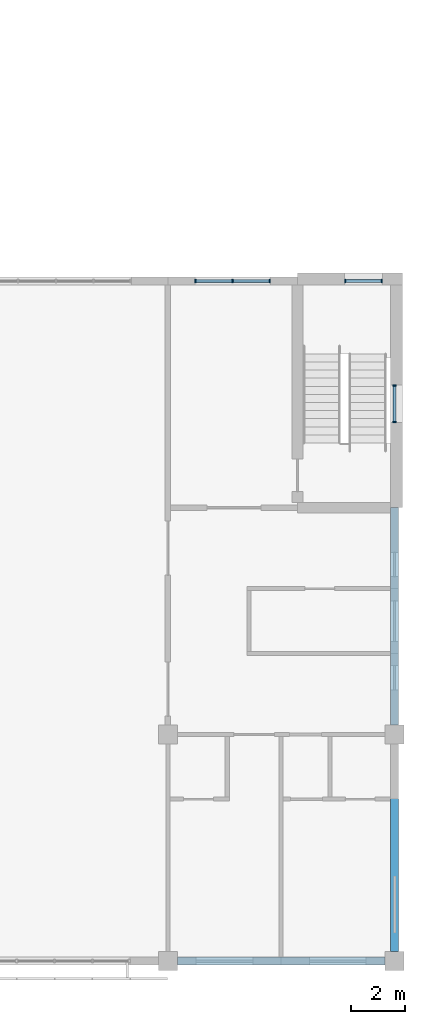
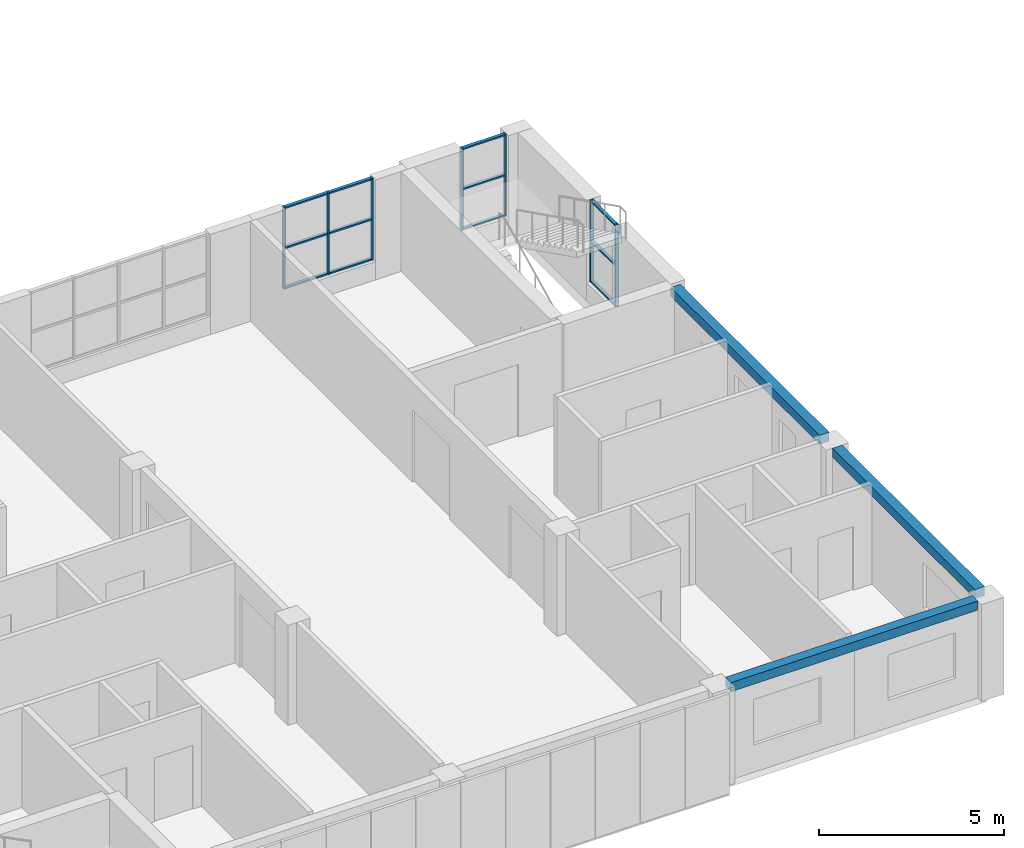
# One storey, part 20 of 48: 19 members, 3 beams, 3 elements without a shape of their own.
"""IFC4 building model written with IfcOpenShell, lengths in metres."""

from ifc_helpers import new_model, si_unit, direction, frame, origin, origin_2d, place, context, subcontext, project, spatial, rectangle, extrude, material, material_profile, profile_set, type_object, element, aggregate, save


model = new_model("IFC4")

# Units and contexts
model_context = context("Model", 3, precision=1e-05, world=origin(), true_north=direction((0.0, 1.0)))
body_context = subcontext(model_context, "Body", "Model", "MODEL_VIEW")
ifc_project = project(units=[si_unit("LENGTHUNIT", "METRE"), si_unit("AREAUNIT", "SQUARE_METRE"), si_unit("VOLUMEUNIT", "CUBIC_METRE"), si_unit("PLANEANGLEUNIT", "RADIAN"), si_unit("MASSUNIT", "GRAM", prefix="KILO")], contexts=[model_context])

# Site, building, storey
site_placement = place(None, origin())
site = spatial("IfcSite", under=ifc_project, at=site_placement, CompositionType="ELEMENT")
building_placement = place(site_placement, origin())
building = spatial("IfcBuilding", under=site, at=building_placement, Name="Yavir Park General Hospital", CompositionType="ELEMENT")
storey_placement = place(building_placement, frame((0.0, 0.0, 26.10009765625)))
storey = spatial("IfcBuildingStorey", under=building, at=storey_placement, Name="L06", CompositionType="ELEMENT", Elevation=26.10009765625)

# Beams
ifc_material_1 = material(Name="Concrete C35/45", Category="concrete")
ifc_material_profile_1 = material_profile(ifc_material_1, rectangle(XDim=0.300048828125, YDim=0.300048828125, at=origin_2d()), Name="RC300x300")
ifc_profile_set_1 = profile_set([ifc_material_profile_1], Name="Concrete C35/45")
beam_type = type_object("IfcBeamType", Name="RC BEAM 300x300 edge beam", PredefinedType="BEAM", material=ifc_profile_set_1)
for number, where, z_axis, x_axis, name in (
    (1, (159.949951171875, 0.0, 3.0498046875), (1.0, 0.0, 0.0), (0.0, 1.0, 0.0), "B:EDGE:L06:010"),
    (2, (168.0, 0.35009765625, 3.0498046875), (0.0, 1.0, 0.0), (-1.0, 0.0, 0.0), "B:EDGE:L06:037"),
):
    element("IfcBeam", number, at=place(storey_placement, frame(where, z_axis=z_axis, x_axis=x_axis)), inside=storey, type_object=beam_type, Name=name, PredefinedType="BEAM", context=body_context, shape_type="SweptSolid", body=[
        extrude(rectangle(XDim=0.300048828125, YDim=0.300048828125, at=origin_2d()), origin(), (0.0, 0.0, 1.0), 7.699951171875),
    ])
beam_placement = place(storey_placement, frame((168.0, 8.75, 3.0498046875), z_axis=(0.0, 1.0, 0.0), x_axis=(-1.0, 0.0, 0.0)))
element("IfcBeam", 3, at=beam_placement, inside=storey, type_object=beam_type, Name="B:EDGE:L06:038", PredefinedType="BEAM", context=body_context, shape_type="SweptSolid", body=[
    extrude(rectangle(XDim=0.300048828125, YDim=0.300048828125, at=origin_2d()), origin(), (0.0, 0.0, 1.0), 8.050048828125),
])

# Curtain wall, members
ifc_material_2 = material(Name="Aluminium curtain wall frame with insulated glazing", Category="aluminium")
curtain_wall_type_1 = type_object("IfcCurtainWallType", Name="Stair light slot, ward floors, 2700 high, 1400 module", PredefinedType="NOTDEFINED", material=ifc_material_2)
curtain_wall_1_placement = place(storey_placement, origin())
curtain_wall_1 = element("IfcCurtainWall", 4, at=curtain_wall_1_placement, inside=storey, type_object=curtain_wall_type_1, Name="CW64 L06-015", PredefinedType="NOTDEFINED")
ifc_material_3 = material(Name="Aluminium", Category="aluminium")
ifc_material_profile_2 = material_profile(ifc_material_3, rectangle(XDim=0.1201171875, YDim=0.050048828125, at=origin_2d()), Name="AL 50x120")
ifc_profile_set_2 = profile_set([ifc_material_profile_2], Name="Aluminium")
member_type_1 = type_object("IfcMemberType", Name="Stair light slot, ward floors, 2700 high mullion 50 x 120", PredefinedType="MULLION", material=ifc_profile_set_2)
member_1_placement = place(storey_placement, frame((166.175048828125, 25.199951171875, 0.599853515625), z_axis=(0.0, 0.0, 1.0), x_axis=(0.0, 1.0, 0.0)))
member_1 = element("IfcMember", 5, at=member_1_placement, type_object=member_type_1, Name="CW64 mullion 1", PredefinedType="MULLION", context=body_context, shape_type="SweptSolid", body=[
    extrude(rectangle(XDim=0.1201171875, YDim=0.050048828125, at=origin_2d()), origin(), (0.0, 0.0, 1.0), 2.699951171875),
])
member_2_placement = place(storey_placement, frame((167.52490234375, 25.199951171875, 0.599853515625), z_axis=(0.0, 0.0, 1.0), x_axis=(0.0, 1.0, 0.0)))
member_2 = element("IfcMember", 6, at=member_2_placement, type_object=member_type_1, Name="CW64 mullion 2", PredefinedType="MULLION", context=body_context, shape_type="SweptSolid", body=[
    extrude(rectangle(XDim=0.1201171875, YDim=0.050048828125, at=origin_2d()), origin(), (0.0, 0.0, 1.0), 2.699951171875),
])

curtain_wall_2_placement = place(storey_placement, origin())
curtain_wall_2 = element("IfcCurtainWall", 7, at=curtain_wall_2_placement, inside=storey, type_object=curtain_wall_type_1, Name="CW64 L06-031", PredefinedType="NOTDEFINED")
member_3_placement = place(storey_placement, frame((168.0, 19.97509765625, 0.599853515625), z_axis=(0.0, 0.0, 1.0), x_axis=(-1.0, 0.0, 0.0)))
member_3 = element("IfcMember", 8, at=member_3_placement, type_object=member_type_1, Name="CW64 mullion 1", PredefinedType="MULLION", context=body_context, shape_type="SweptSolid", body=[
    extrude(rectangle(XDim=0.1201171875, YDim=0.050048828125, at=origin_2d()), origin(), (0.0, 0.0, 1.0), 2.699951171875),
])
member_4_placement = place(storey_placement, frame((168.0, 21.324951171875, 0.599853515625), z_axis=(0.0, 0.0, 1.0), x_axis=(-1.0, 0.0, 0.0)))
member_4 = element("IfcMember", 9, at=member_4_placement, type_object=member_type_1, Name="CW64 mullion 2", PredefinedType="MULLION", context=body_context, shape_type="SweptSolid", body=[
    extrude(rectangle(XDim=0.1201171875, YDim=0.050048828125, at=origin_2d()), origin(), (0.0, 0.0, 1.0), 2.699951171875),
])

# Member
ifc_material_4 = material(Name="Aluminium", Category="aluminium")
ifc_material_profile_3 = material_profile(ifc_material_4, rectangle(XDim=0.10009765625, YDim=0.050048828125, at=origin_2d()), Name="AL 100x50")
ifc_profile_set_3 = profile_set([ifc_material_profile_3], Name="Aluminium")
member_type_2 = type_object("IfcMemberType", Name="Stair light slot, ward floors, 2700 high transom 50 x 100", PredefinedType="MULLION", material=ifc_profile_set_3)
member_5_placement = place(storey_placement, frame((166.199951171875, 25.199951171875, 0.625), z_axis=(1.0, 0.0, 0.0), x_axis=(0.0, 1.0, 0.0)))
member_5 = element("IfcMember", 10, at=member_5_placement, type_object=member_type_2, Name="CW64 transom 1.1", PredefinedType="MULLION", context=body_context, shape_type="SweptSolid", body=[
    extrude(rectangle(XDim=0.10009765625, YDim=0.050048828125, at=origin_2d()), origin(), (0.0, 0.0, 1.0), 1.300048828125),
])

member_6_placement = place(storey_placement, frame((166.199951171875, 25.199951171875, 1.949951171875), z_axis=(1.0, 0.0, 0.0), x_axis=(0.0, 1.0, 0.0)))
member_6 = element("IfcMember", 11, at=member_6_placement, type_object=member_type_2, Name="CW64 transom 1.2", PredefinedType="MULLION", context=body_context, shape_type="SweptSolid", body=[
    extrude(rectangle(XDim=0.10009765625, YDim=0.050048828125, at=origin_2d()), origin(), (0.0, 0.0, 1.0), 1.300048828125),
])

member_7_placement = place(storey_placement, frame((166.199951171875, 25.199951171875, 3.27490234375), z_axis=(1.0, 0.0, 0.0), x_axis=(0.0, 1.0, 0.0)))
member_7 = element("IfcMember", 12, at=member_7_placement, type_object=member_type_2, Name="CW64 transom 1.3", PredefinedType="MULLION", context=body_context, shape_type="SweptSolid", body=[
    extrude(rectangle(XDim=0.10009765625, YDim=0.050048828125, at=origin_2d()), origin(), (0.0, 0.0, 1.0), 1.300048828125),
])

aggregate(curtain_wall_1, [member_1, member_2, member_5, member_6, member_7])

member_8_placement = place(storey_placement, frame((168.0, 20.0, 0.625), z_axis=(0.0, 1.0, 0.0), x_axis=(-1.0, 0.0, 0.0)))
member_8 = element("IfcMember", 13, at=member_8_placement, type_object=member_type_2, Name="CW64 transom 1.1", PredefinedType="MULLION", context=body_context, shape_type="SweptSolid", body=[
    extrude(rectangle(XDim=0.10009765625, YDim=0.050048828125, at=origin_2d()), origin(), (0.0, 0.0, 1.0), 1.300048828125),
])

member_9_placement = place(storey_placement, frame((168.0, 20.0, 1.949951171875), z_axis=(0.0, 1.0, 0.0), x_axis=(-1.0, 0.0, 0.0)))
member_9 = element("IfcMember", 14, at=member_9_placement, type_object=member_type_2, Name="CW64 transom 1.2", PredefinedType="MULLION", context=body_context, shape_type="SweptSolid", body=[
    extrude(rectangle(XDim=0.10009765625, YDim=0.050048828125, at=origin_2d()), origin(), (0.0, 0.0, 1.0), 1.300048828125),
])

member_10_placement = place(storey_placement, frame((168.0, 20.0, 3.27490234375), z_axis=(0.0, 1.0, 0.0), x_axis=(-1.0, 0.0, 0.0)))
member_10 = element("IfcMember", 15, at=member_10_placement, type_object=member_type_2, Name="CW64 transom 1.3", PredefinedType="MULLION", context=body_context, shape_type="SweptSolid", body=[
    extrude(rectangle(XDim=0.10009765625, YDim=0.050048828125, at=origin_2d()), origin(), (0.0, 0.0, 1.0), 1.300048828125),
])

aggregate(curtain_wall_2, [member_3, member_4, member_8, member_9, member_10])

# Curtain wall, members
ifc_material_5 = material(Name="Aluminium curtain wall frame with insulated glazing", Category="aluminium")
curtain_wall_type_2 = type_object("IfcCurtainWallType", Name="Ward corridor end glazing, 2700 high, 1400 module", PredefinedType="NOTDEFINED", material=ifc_material_5)
curtain_wall_3_placement = place(storey_placement, origin())
curtain_wall_3 = element("IfcCurtainWall", 16, at=curtain_wall_3_placement, inside=storey, type_object=curtain_wall_type_2, Name="CW66 L06-014", PredefinedType="NOTDEFINED")
ifc_material_6 = material(Name="Aluminium", Category="aluminium")
ifc_material_profile_4 = material_profile(ifc_material_6, rectangle(XDim=0.1201171875, YDim=0.050048828125, at=origin_2d()), Name="AL 50x120")
ifc_profile_set_4 = profile_set([ifc_material_profile_4], Name="Aluminium")
member_type_3 = type_object("IfcMemberType", Name="Ward corridor end glazing, 2700 high mullion 50 x 120", PredefinedType="MULLION", material=ifc_profile_set_4)
member_11_placement = place(storey_placement, frame((160.625, 25.199951171875, 0.599853515625), z_axis=(0.0, 0.0, 1.0), x_axis=(0.0, 1.0, 0.0)))
member_11 = element("IfcMember", 17, at=member_11_placement, type_object=member_type_3, Name="CW66 mullion 1", PredefinedType="MULLION", context=body_context, shape_type="SweptSolid", body=[
    extrude(rectangle(XDim=0.1201171875, YDim=0.050048828125, at=origin_2d()), origin(), (0.0, 0.0, 1.0), 2.699951171875),
])
member_12_placement = place(storey_placement, frame((162.0, 25.199951171875, 0.599853515625), z_axis=(0.0, 0.0, 1.0), x_axis=(0.0, 1.0, 0.0)))
member_12 = element("IfcMember", 18, at=member_12_placement, type_object=member_type_3, Name="CW66 mullion 2", PredefinedType="MULLION", context=body_context, shape_type="SweptSolid", body=[
    extrude(rectangle(XDim=0.1201171875, YDim=0.050048828125, at=origin_2d()), origin(), (0.0, 0.0, 1.0), 2.699951171875),
])
member_13_placement = place(storey_placement, frame((163.375, 25.199951171875, 0.599853515625), z_axis=(0.0, 0.0, 1.0), x_axis=(0.0, 1.0, 0.0)))
member_13 = element("IfcMember", 19, at=member_13_placement, type_object=member_type_3, Name="CW66 mullion 3", PredefinedType="MULLION", context=body_context, shape_type="SweptSolid", body=[
    extrude(rectangle(XDim=0.1201171875, YDim=0.050048828125, at=origin_2d()), origin(), (0.0, 0.0, 1.0), 2.699951171875),
])
ifc_material_7 = material(Name="Aluminium", Category="aluminium")
ifc_material_profile_5 = material_profile(ifc_material_7, rectangle(XDim=0.10009765625, YDim=0.050048828125, at=origin_2d()), Name="AL 100x50")
ifc_profile_set_5 = profile_set([ifc_material_profile_5], Name="Aluminium")
member_type_4 = type_object("IfcMemberType", Name="Ward corridor end glazing, 2700 high transom 50 x 100", PredefinedType="MULLION", material=ifc_profile_set_5)
member_14_placement = place(storey_placement, frame((160.64990234375, 25.199951171875, 0.625), z_axis=(1.0, 0.0, 0.0), x_axis=(0.0, 1.0, 0.0)))
member_14 = element("IfcMember", 20, at=member_14_placement, type_object=member_type_4, Name="CW66 transom 1.1", PredefinedType="MULLION", context=body_context, shape_type="SweptSolid", body=[
    extrude(rectangle(XDim=0.10009765625, YDim=0.050048828125, at=origin_2d()), origin(), (0.0, 0.0, 1.0), 1.3251953125),
])
member_15_placement = place(storey_placement, frame((160.64990234375, 25.199951171875, 1.949951171875), z_axis=(1.0, 0.0, 0.0), x_axis=(0.0, 1.0, 0.0)))
member_15 = element("IfcMember", 21, at=member_15_placement, type_object=member_type_4, Name="CW66 transom 1.2", PredefinedType="MULLION", context=body_context, shape_type="SweptSolid", body=[
    extrude(rectangle(XDim=0.10009765625, YDim=0.050048828125, at=origin_2d()), origin(), (0.0, 0.0, 1.0), 1.3251953125),
])
member_16_placement = place(storey_placement, frame((160.64990234375, 25.199951171875, 3.27490234375), z_axis=(1.0, 0.0, 0.0), x_axis=(0.0, 1.0, 0.0)))
member_16 = element("IfcMember", 22, at=member_16_placement, type_object=member_type_4, Name="CW66 transom 1.3", PredefinedType="MULLION", context=body_context, shape_type="SweptSolid", body=[
    extrude(rectangle(XDim=0.10009765625, YDim=0.050048828125, at=origin_2d()), origin(), (0.0, 0.0, 1.0), 1.3251953125),
])
member_17_placement = place(storey_placement, frame((162.02490234375, 25.199951171875, 0.625), z_axis=(1.0, 0.0, 0.0), x_axis=(0.0, 1.0, 0.0)))
member_17 = element("IfcMember", 23, at=member_17_placement, type_object=member_type_4, Name="CW66 transom 2.1", PredefinedType="MULLION", context=body_context, shape_type="SweptSolid", body=[
    extrude(rectangle(XDim=0.10009765625, YDim=0.050048828125, at=origin_2d()), origin(), (0.0, 0.0, 1.0), 1.3251953125),
])
member_18_placement = place(storey_placement, frame((162.02490234375, 25.199951171875, 1.949951171875), z_axis=(1.0, 0.0, 0.0), x_axis=(0.0, 1.0, 0.0)))
member_18 = element("IfcMember", 24, at=member_18_placement, type_object=member_type_4, Name="CW66 transom 2.2", PredefinedType="MULLION", context=body_context, shape_type="SweptSolid", body=[
    extrude(rectangle(XDim=0.10009765625, YDim=0.050048828125, at=origin_2d()), origin(), (0.0, 0.0, 1.0), 1.3251953125),
])
member_19_placement = place(storey_placement, frame((162.02490234375, 25.199951171875, 3.27490234375), z_axis=(1.0, 0.0, 0.0), x_axis=(0.0, 1.0, 0.0)))
member_19 = element("IfcMember", 25, at=member_19_placement, type_object=member_type_4, Name="CW66 transom 2.3", PredefinedType="MULLION", context=body_context, shape_type="SweptSolid", body=[
    extrude(rectangle(XDim=0.10009765625, YDim=0.050048828125, at=origin_2d()), origin(), (0.0, 0.0, 1.0), 1.3251953125),
])
aggregate(curtain_wall_3, [member_11, member_12, member_13, member_14, member_15, member_16, member_17, member_18, member_19])

save(model, "model.ifc")
